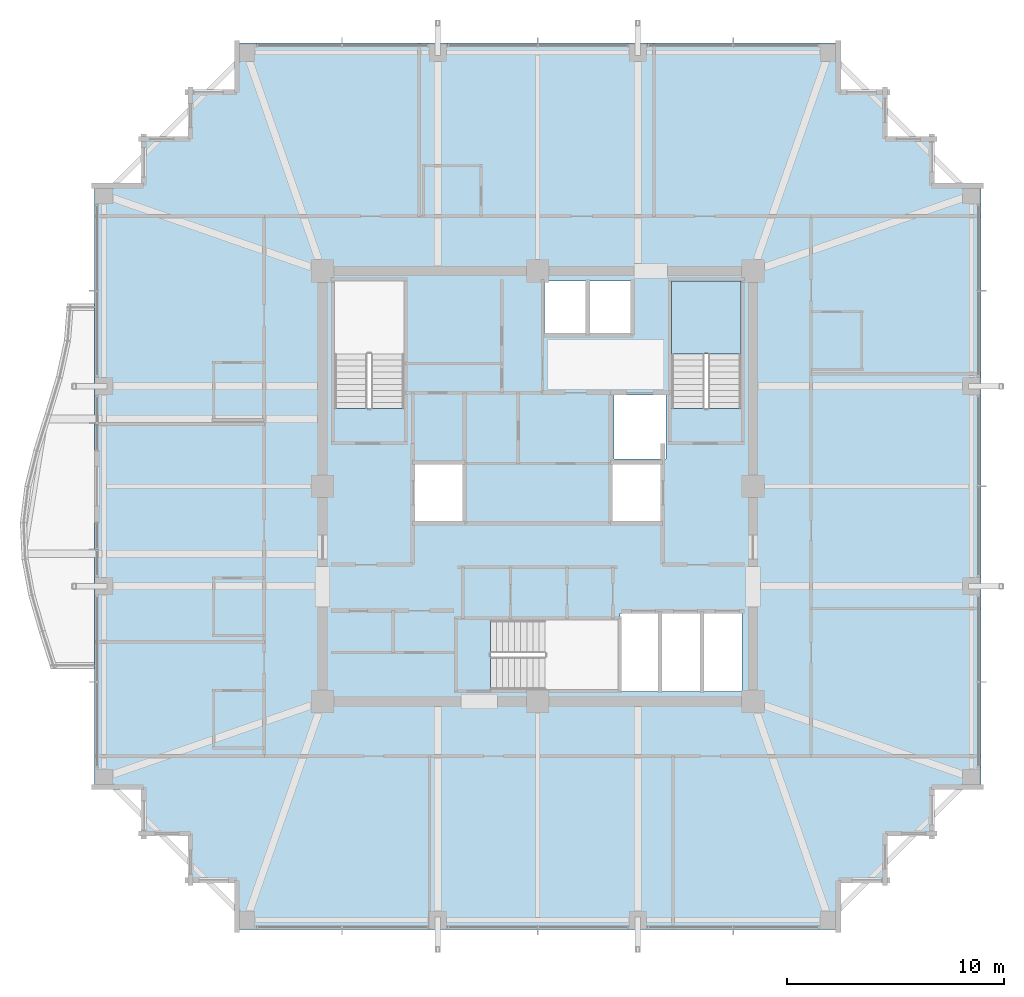
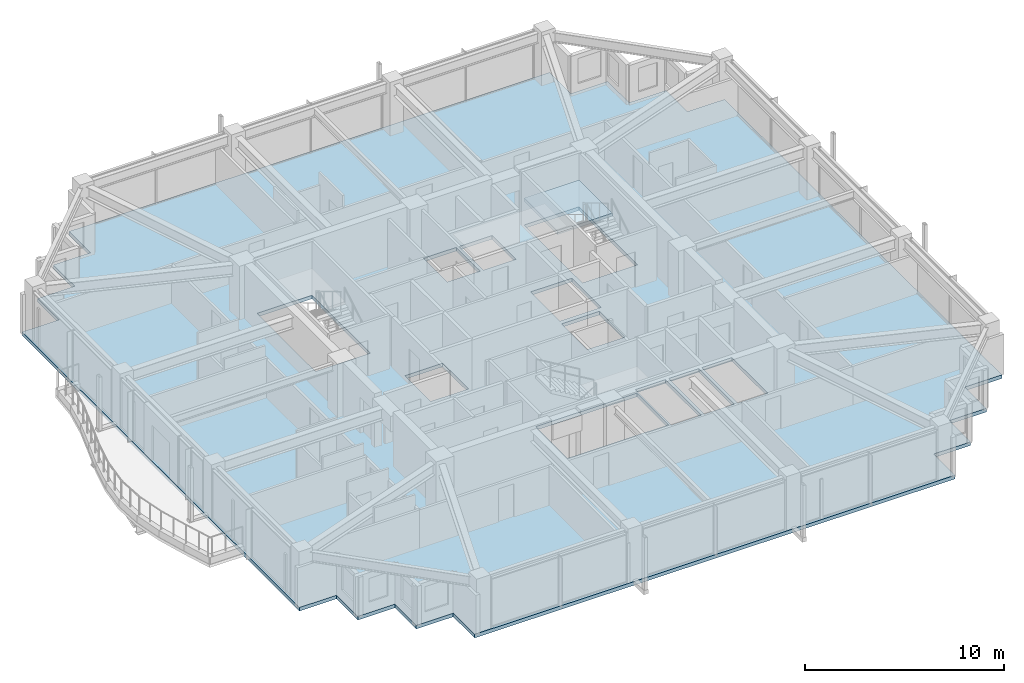
# One storey, part 23 of 33: 2 slabs, 1 element without a shape of its own.
"""IFC4 building model written with IfcOpenShell, lengths in metres."""

from ifc_helpers import new_model, si_unit, direction, frame, origin, place, context, subcontext, project, spatial, polyline, outline, extrude, material, layer, layer_set, type_object, element, aggregate, save


model = new_model("IFC4")

# Units and contexts
model_context = context("Model", 3, precision=1e-05, world=origin(), true_north=direction((0.0, 1.0)))
body_context = subcontext(model_context, "Body", "Model", "MODEL_VIEW")
ifc_project = project(units=[si_unit("LENGTHUNIT", "METRE"), si_unit("AREAUNIT", "SQUARE_METRE"), si_unit("VOLUMEUNIT", "CUBIC_METRE"), si_unit("PLANEANGLEUNIT", "RADIAN"), si_unit("MASSUNIT", "GRAM", prefix="KILO")], contexts=[model_context])

# Site, building, storey
site_placement = place(None, origin())
site = spatial("IfcSite", under=ifc_project, at=site_placement, CompositionType="ELEMENT")
building_placement = place(site_placement, origin())
building = spatial("IfcBuilding", under=site, at=building_placement, Name="Kolvaren Belvedere", CompositionType="ELEMENT")
storey_placement = place(building_placement, frame((0.0, 0.0, 209.699951171875)))
storey = spatial("IfcBuildingStorey", under=building, at=storey_placement, Name="L61", CompositionType="ELEMENT", Elevation=209.699951171875)

# Slab
ifc_material_1 = material(Name="Concrete C50/60", Category="concrete")
ifc_layer_1 = layer(ifc_material_1, 0.219970703125)
ifc_layer_set_1 = layer_set([ifc_layer_1], Name="Concrete C50/60")
slab_type_1 = type_object("IfcSlabType", Name="SL-FLR-220", PredefinedType="FLOOR", material=ifc_layer_set_1)
slab_1_placement = place(storey_placement, frame((0.0, 0.0, -0.219970703125)))
element("IfcSlab", 1, at=slab_1_placement, inside=storey, type_object=slab_type_1, Name="L61 Primary Structural Slab", PredefinedType="FLOOR", context=body_context, shape_type="SweptSolid", body=[
    extrude(outline(polyline([(-13.949951171875, -20.39990234375), (13.949951171875, -20.39990234375), (13.949951171875, -18.25), (16.10009765625, -18.25), (16.10009765625, -16.10009765625), (18.25, -16.10009765625), (18.25, -13.949951171875), (20.39990234375, -13.949951171875), (20.39990234375, 13.949951171875), (18.25, 13.949951171875), (18.25, 16.10009765625), (16.10009765625, 16.10009765625), (16.10009765625, 18.25), (13.949951171875, 18.25), (13.949951171875, 20.39990234375), (-13.949951171875, 20.39990234375), (-13.949951171875, 18.25), (-16.10009765625, 18.25), (-16.10009765625, 16.10009765625), (-18.25, 16.10009765625), (-18.25, 13.949951171875), (-20.39990234375, 13.949951171875), (-20.39990234375, -13.949951171875), (-18.25, -13.949951171875), (-18.25, -16.10009765625), (-16.10009765625, -16.10009765625), (-16.10009765625, -18.25), (-13.949951171875, -18.25), (-13.949951171875, -20.39990234375)]), holes=[polyline([(-9.35009765625, 3.580078125), (-6.159912109375, 3.580078125), (-6.159912109375, 9.449951171875), (-9.35009765625, 9.449951171875), (-9.35009765625, 3.580078125)]), polyline([(6.159912109375, 3.580078125), (9.35009765625, 3.580078125), (9.35009765625, 9.449951171875), (6.159912109375, 9.449951171875), (6.159912109375, 3.580078125)]), polyline([(-2.169921875, -9.35009765625), (3.699951171875, -9.35009765625), (3.699951171875, -6.159912109375), (-2.169921875, -6.159912109375), (-2.169921875, -9.35009765625)]), polyline([(-5.64990234375, -1.60009765625), (-3.449951171875, -1.60009765625), (-3.449951171875, 1.0), (-5.64990234375, 1.0), (-5.64990234375, -1.60009765625)]), polyline([(3.5, 1.25), (5.89990234375, 1.25), (5.89990234375, 4.199951171875), (3.5, 4.199951171875), (3.5, 1.25)]), polyline([(3.449951171875, -1.60009765625), (5.64990234375, -1.60009765625), (5.64990234375, 1.0), (3.449951171875, 1.0), (3.449951171875, -1.60009765625)]), polyline([(3.7900390625, -9.449951171875), (5.5400390625, -9.449951171875), (5.5400390625, -5.85009765625), (3.7900390625, -5.85009765625), (3.7900390625, -9.449951171875)]), polyline([(5.719970703125, -9.449951171875), (7.469970703125, -9.449951171875), (7.469970703125, -5.85009765625), (5.719970703125, -5.85009765625), (5.719970703125, -9.449951171875)]), polyline([(7.64990234375, -9.449951171875), (9.39990234375, -9.449951171875), (9.39990234375, -5.85009765625), (7.64990234375, -5.85009765625), (7.64990234375, -9.449951171875)]), polyline([(0.320068359375, 7.050048828125), (2.219970703125, 7.050048828125), (2.219970703125, 9.449951171875), (0.320068359375, 9.449951171875), (0.320068359375, 7.050048828125)]), polyline([(2.39990234375, 7.050048828125), (4.300048828125, 7.050048828125), (4.300048828125, 9.449951171875), (2.39990234375, 9.449951171875), (2.39990234375, 7.050048828125)])]), origin(), (0.0, 0.0, 1.0), 0.219970703125),
])

# Stair, slab
ifc_material_2 = material(Name="Concrete C50/60", Category="concrete")
stair_type = type_object("IfcStairType", Name="ST-CORE-1520", PredefinedType="HALF_TURN_STAIR", material=ifc_material_2)
stair_placement = place(storey_placement, origin())
stair = element("IfcStair", 2, at=stair_placement, inside=storey, type_object=stair_type, Name="L61 Protected Exit Stair ST-2", PredefinedType="HALF_TURN_STAIR")
ifc_material_3 = material(Name="Concrete C50/60", Category="concrete")
ifc_layer_2 = layer(ifc_material_3, 0.260009765625)
ifc_layer_set_2 = layer_set([ifc_layer_2], Name="Concrete C50/60")
slab_type_2 = type_object("IfcSlabType", Name="SL-LAND-260", PredefinedType="LANDING", material=ifc_layer_set_2)
slab_2_placement = place(storey_placement, frame((0.0, 0.0, 1.449951171875)))
slab_2 = element("IfcSlab", 3, at=slab_2_placement, type_object=slab_type_2, Name="ST-2 landing 1", PredefinedType="LANDING", context=body_context, shape_type="SweptSolid", body=[
    extrude(outline(polyline([(9.35009765625, 6.090087890625), (9.35009765625, 9.449951171875), (6.159912109375, 9.449951171875), (6.159912109375, 6.090087890625), (9.35009765625, 6.090087890625)])), origin(), (0.0, 0.0, 1.0), 0.2001953125),
])
aggregate(stair, [slab_2])

save(model, "model.ifc")
